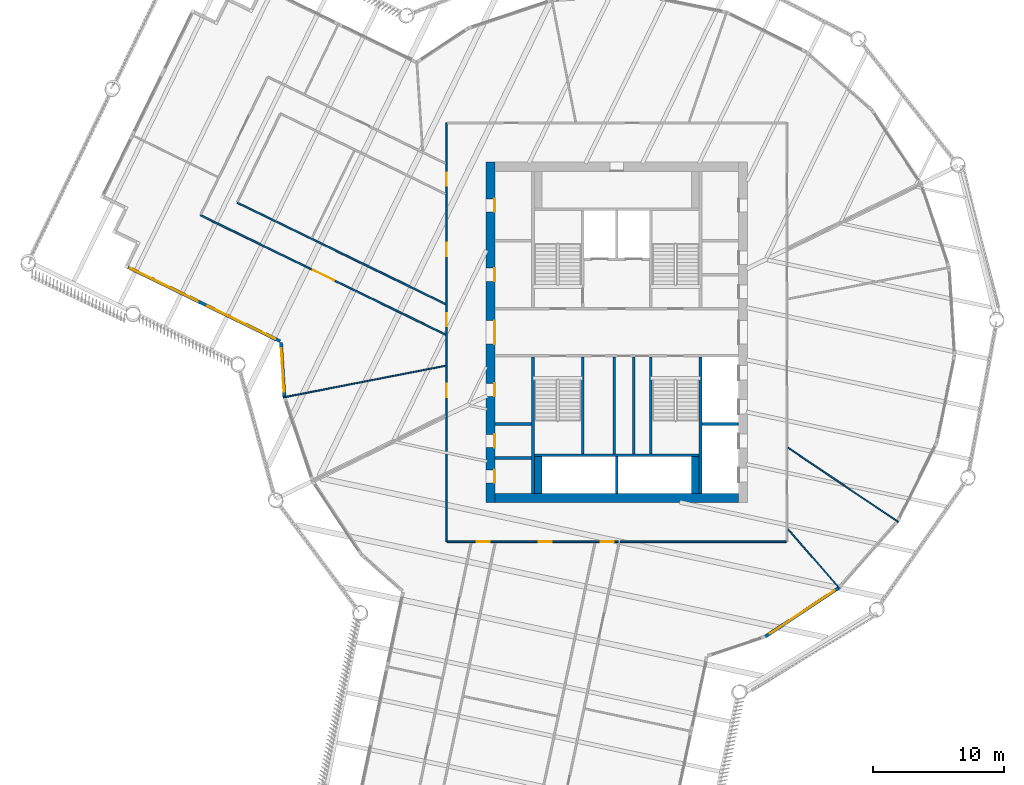
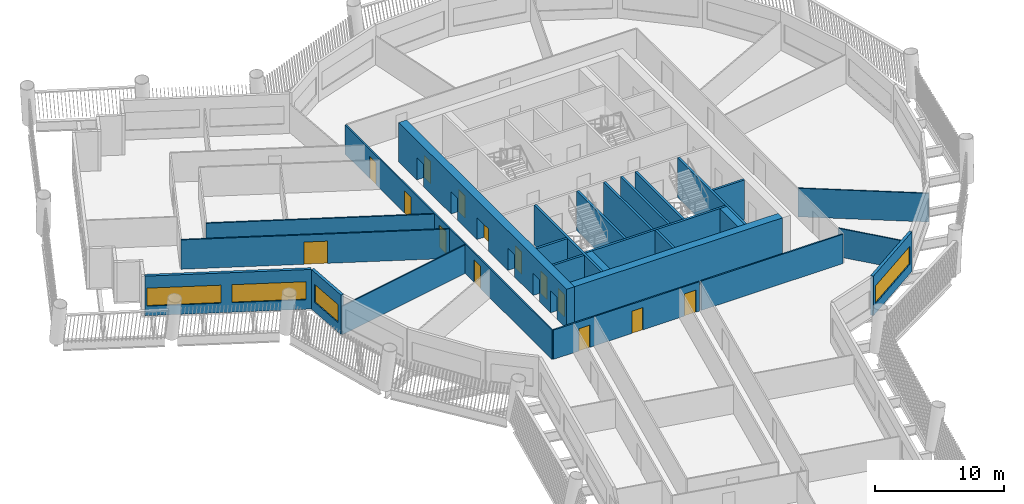
# One storey, part 4 of 15: 26 walls, 14 doors, 4 windows, 18 openings.
"""IFC4 building model written with IfcOpenShell, lengths in metres."""

from ifc_helpers import new_model, si_unit, direction, frame, frame_2d, origin, place, context, subcontext, project, spatial, rectangle, extrude, material, layer, layer_set, type_object, element, fill, save


model = new_model("IFC4")

# Units and contexts
model_context = context("Model", 3, precision=1e-05, world=origin(), true_north=direction((0.0, 1.0)))
body_context = subcontext(model_context, "Body", "Model", "MODEL_VIEW")
ifc_project = project(units=[si_unit("LENGTHUNIT", "METRE"), si_unit("AREAUNIT", "SQUARE_METRE"), si_unit("VOLUMEUNIT", "CUBIC_METRE"), si_unit("PLANEANGLEUNIT", "RADIAN"), si_unit("MASSUNIT", "GRAM", prefix="KILO")], contexts=[model_context])

# Site, building, storey
site_placement = place(None, origin())
site = spatial("IfcSite", under=ifc_project, at=site_placement, CompositionType="ELEMENT")
building_placement = place(site_placement, origin())
building = spatial("IfcBuilding", under=site, at=building_placement, Name="Tarsis Ring Headquarters", CompositionType="ELEMENT")
storey_placement = place(building_placement, frame((0.0, 0.0, 174.89990234375)))
storey = spatial("IfcBuildingStorey", under=building, at=storey_placement, Name="L40", CompositionType="ELEMENT", Elevation=174.89990234375)

# Walls
ifc_material_1 = material(Name="Blockwork", Category="masonry")
ifc_layer_1 = layer(ifc_material_1, 0.199951171875)
ifc_layer_set_1 = layer_set([ifc_layer_1], Name="Core blockwork wall 200")
wall_type_1 = type_object("IfcWallType", Name="Core blockwork wall 200", PredefinedType="PARTITIONING", material=ifc_layer_set_1)
for number, where, z_axis, x_axis, name in (
    (1, (-9.300048828125, -9.60009765625, 0.0), (0.0, 0.0, 1.0), (1.0, 0.0, 0.0), "Core partition WD1"),
    (2, (-9.300048828125, -7.0, 0.0), (0.0, 0.0, 1.0), (1.0, 0.0, 0.0), "Core partition WD2"),
):
    element("IfcWall", number, at=place(storey_placement, frame(where, z_axis=z_axis, x_axis=x_axis)), inside=storey, type_object=wall_type_1, Name=name, PredefinedType="PARTITIONING", context=body_context, shape_type="SweptSolid", body=[
        extrude(rectangle(XDim=2.800048828125, YDim=0.199951171875, at=frame_2d((1.39990234375, 0.0))), origin(), (0.0, 0.0, 1.0), 3.739990234375),
    ])
for number, where, z_axis, x_axis, name in (
    (3, (-0.199951171875, -9.300048828125, 0.0), (0.0, 0.0, 1.0), (0.0, 1.0, 0.0), "Core partition SV1"),
    (4, (1.300048828125, -9.300048828125, 0.0), (0.0, 0.0, 1.0), (0.0, 1.0, 0.0), "Core partition SV2"),
):
    element("IfcWall", number, at=place(storey_placement, frame(where, z_axis=z_axis, x_axis=x_axis)), inside=storey, type_object=wall_type_1, Name=name, PredefinedType="PARTITIONING", context=body_context, shape_type="SweptSolid", body=[
        extrude(rectangle(XDim=7.400146484375, YDim=0.199951171875, at=frame_2d((3.7001953125, 0.0))), origin(), (0.0, 0.0, 1.0), 3.739990234375),
    ])

# Wall, openings, doors
ifc_material_2 = material(Name="Concrete C60/75", Category="concrete")
ifc_layer_2 = layer(ifc_material_2, 0.699951171875)
ifc_layer_set_2 = layer_set([ifc_layer_2], Name="Core wall 700 C60/75")
wall_type_2 = type_object("IfcWallType", Name="Core wall 700 C60/75", PredefinedType="SHEAR", material=ifc_layer_set_2)
wall_1_placement = place(storey_placement, frame((-9.64990234375, -13.0, 0.0), z_axis=(0.0, 0.0, 1.0), x_axis=(0.0, 1.0, 0.0)))
wall_1 = element("IfcWall", 5, at=wall_1_placement, inside=storey, type_object=wall_type_2, Name="Core wall OW", PredefinedType="SHEAR", context=body_context, shape_type="SweptSolid", body=[
    extrude(rectangle(XDim=26.0, YDim=0.699951171875, at=frame_2d((13.0, 0.0))), origin(), (0.0, 0.0, 1.0), 3.739990234375),
])
opening_1_placement = place(wall_1_placement, frame((1.5, 0.0, 0.0)))
opening_1 = element("IfcOpeningElement", 6, at=opening_1_placement, cuts=wall_1, Name="Opening L40-C01", PredefinedType="OPENING", context=body_context, shape_type="SweptSolid", body=[
    extrude(rectangle(XDim=1.0, YDim=2.10009765625, at=frame_2d((0.5, 1.050048828125))), frame((0.0, 0.35986328125, 0.0), z_axis=(0.0, -1.0, 0.0), x_axis=(1.0, 0.0, 0.0)), (0.0, 0.0, 1.0), 0.719970703125),
])
opening_2_placement = place(wall_1_placement, frame((4.199951171875, 0.0, 0.0)))
opening_2 = element("IfcOpeningElement", 7, at=opening_2_placement, cuts=wall_1, Name="Opening L40-C02", PredefinedType="OPENING", context=body_context, shape_type="SweptSolid", body=[
    extrude(rectangle(XDim=1.0, YDim=2.10009765625, at=frame_2d((0.5, 1.050048828125))), frame((0.0, 0.35986328125, 0.0), z_axis=(0.0, -1.0, 0.0), x_axis=(1.0, 0.0, 0.0)), (0.0, 0.0, 1.0), 0.719970703125),
])
opening_3_placement = place(wall_1_placement, frame((8.10009765625, 0.0, 0.0)))
opening_3 = element("IfcOpeningElement", 8, at=opening_3_placement, cuts=wall_1, Name="Opening L40-C03", PredefinedType="OPENING", context=body_context, shape_type="SweptSolid", body=[
    extrude(rectangle(XDim=1.0, YDim=2.10009765625, at=frame_2d((0.5, 1.050048828125))), frame((0.0, 0.35986328125, 0.0), z_axis=(0.0, -1.0, 0.0), x_axis=(1.0, 0.0, 0.0)), (0.0, 0.0, 1.0), 0.719970703125),
])
opening_4_placement = place(wall_1_placement, frame((12.10009765625, 0.0, 0.0)))
opening_4 = element("IfcOpeningElement", 9, at=opening_4_placement, cuts=wall_1, Name="Opening L40-C04", PredefinedType="OPENING", context=body_context, shape_type="SweptSolid", body=[
    extrude(rectangle(XDim=1.800048828125, YDim=2.10009765625, at=frame_2d((0.89990234375, 1.050048828125))), frame((0.0, 0.35986328125, 0.0), z_axis=(0.0, -1.0, 0.0), x_axis=(1.0, 0.0, 0.0)), (0.0, 0.0, 1.0), 0.719970703125),
])
opening_5_placement = place(wall_1_placement, frame((16.89990234375, 0.0, 0.0)))
opening_5 = element("IfcOpeningElement", 10, at=opening_5_placement, cuts=wall_1, Name="Opening L40-C05", PredefinedType="OPENING", context=body_context, shape_type="SweptSolid", body=[
    extrude(rectangle(XDim=1.0, YDim=2.10009765625, at=frame_2d((0.5, 1.050048828125))), frame((0.0, 0.35986328125, 0.0), z_axis=(0.0, -1.0, 0.0), x_axis=(1.0, 0.0, 0.0)), (0.0, 0.0, 1.0), 0.719970703125),
])
opening_6_placement = place(wall_1_placement, frame((22.199951171875, 0.0, 0.0)))
opening_6 = element("IfcOpeningElement", 11, at=opening_6_placement, cuts=wall_1, Name="Opening L40-C06", PredefinedType="OPENING", context=body_context, shape_type="SweptSolid", body=[
    extrude(rectangle(XDim=1.0, YDim=2.10009765625, at=frame_2d((0.5, 1.050048828125))), frame((0.0, 0.35986328125, 0.0), z_axis=(0.0, -1.0, 0.0), x_axis=(1.0, 0.0, 0.0)), (0.0, 0.0, 1.0), 0.719970703125),
])
ifc_material_3 = material(Name="Steel S355", Category="steel")
door_type_1 = type_object("IfcDoorType", Name="Core entry door 1800x2100", OperationType="DOUBLE_DOOR_SINGLE_SWING", PredefinedType="DOOR", material=ifc_material_3)
door_1_placement = place(opening_4_placement, origin())
door_1 = element("IfcDoor", 12, at=door_1_placement, inside=storey, type_object=door_type_1, Name="Core entry door L40", OperationType="DOUBLE_DOOR_SINGLE_SWING", OverallHeight=2.10009765625, OverallWidth=1.800048828125, PredefinedType="DOOR", context=body_context, shape_type="SweptSolid", body=[
    extrude(rectangle(XDim=1.800048828125, YDim=2.10009765625, at=frame_2d((0.89990234375, 1.050048828125))), frame((0.0, -0.2998046875, 0.0), z_axis=(0.0, -1.0, 0.0), x_axis=(1.0, 0.0, 0.0)), (0.0, 0.0, 1.0), 0.050048828125),
])
fill(opening_4, door_1)
door_type_2 = type_object("IfcDoorType", Name="Core room door 1000x2100", OperationType="SINGLE_SWING_LEFT", PredefinedType="DOOR", material=ifc_material_3)
door_2_placement = place(opening_1_placement, origin())
door_2 = element("IfcDoor", 13, at=door_2_placement, inside=storey, type_object=door_type_2, Name="Core room door L40", OperationType="SINGLE_SWING_LEFT", OverallHeight=2.10009765625, OverallWidth=1.0, PredefinedType="DOOR", context=body_context, shape_type="SweptSolid", body=[
    extrude(rectangle(XDim=1.0, YDim=2.10009765625, at=frame_2d((0.5, 1.050048828125))), frame((0.0, -0.2998046875, 0.0), z_axis=(0.0, -1.0, 0.0), x_axis=(1.0, 0.0, 0.0)), (0.0, 0.0, 1.0), 0.050048828125),
])
fill(opening_1, door_2)
door_3_placement = place(opening_2_placement, origin())
door_3 = element("IfcDoor", 14, at=door_3_placement, inside=storey, type_object=door_type_2, Name="Core room door L40", OperationType="SINGLE_SWING_LEFT", OverallHeight=2.10009765625, OverallWidth=1.0, PredefinedType="DOOR", context=body_context, shape_type="SweptSolid", body=[
    extrude(rectangle(XDim=1.0, YDim=2.10009765625, at=frame_2d((0.5, 1.050048828125))), frame((0.0, -0.2998046875, 0.0), z_axis=(0.0, -1.0, 0.0), x_axis=(1.0, 0.0, 0.0)), (0.0, 0.0, 1.0), 0.050048828125),
])
fill(opening_2, door_3)
door_4_placement = place(opening_3_placement, origin())
door_4 = element("IfcDoor", 15, at=door_4_placement, inside=storey, type_object=door_type_2, Name="Core room door L40", OperationType="SINGLE_SWING_LEFT", OverallHeight=2.10009765625, OverallWidth=1.0, PredefinedType="DOOR", context=body_context, shape_type="SweptSolid", body=[
    extrude(rectangle(XDim=1.0, YDim=2.10009765625, at=frame_2d((0.5, 1.050048828125))), frame((0.0, -0.2998046875, 0.0), z_axis=(0.0, -1.0, 0.0), x_axis=(1.0, 0.0, 0.0)), (0.0, 0.0, 1.0), 0.050048828125),
])
fill(opening_3, door_4)
door_5_placement = place(opening_5_placement, origin())
door_5 = element("IfcDoor", 16, at=door_5_placement, inside=storey, type_object=door_type_2, Name="Core room door L40", OperationType="SINGLE_SWING_LEFT", OverallHeight=2.10009765625, OverallWidth=1.0, PredefinedType="DOOR", context=body_context, shape_type="SweptSolid", body=[
    extrude(rectangle(XDim=1.0, YDim=2.10009765625, at=frame_2d((0.5, 1.050048828125))), frame((0.0, -0.2998046875, 0.0), z_axis=(0.0, -1.0, 0.0), x_axis=(1.0, 0.0, 0.0)), (0.0, 0.0, 1.0), 0.050048828125),
])
fill(opening_5, door_5)
door_6_placement = place(opening_6_placement, origin())
door_6 = element("IfcDoor", 17, at=door_6_placement, inside=storey, type_object=door_type_2, Name="Core room door L40", OperationType="SINGLE_SWING_LEFT", OverallHeight=2.10009765625, OverallWidth=1.0, PredefinedType="DOOR", context=body_context, shape_type="SweptSolid", body=[
    extrude(rectangle(XDim=1.0, YDim=2.10009765625, at=frame_2d((0.5, 1.050048828125))), frame((0.0, -0.2998046875, 0.0), z_axis=(0.0, -1.0, 0.0), x_axis=(1.0, 0.0, 0.0)), (0.0, 0.0, 1.0), 0.050048828125),
])
fill(opening_6, door_6)

# Walls
wall_2_placement = place(storey_placement, frame((-9.300048828125, -12.64990234375, 0.0), z_axis=(0.0, 0.0, 1.0), x_axis=(1.0, 0.0, 0.0)))
element("IfcWall", 18, at=wall_2_placement, inside=storey, type_object=wall_type_2, Name="Core wall OS", PredefinedType="SHEAR", context=body_context, shape_type="SweptSolid", body=[
    extrude(rectangle(XDim=18.60009765625, YDim=0.699951171875, at=frame_2d((9.300048828125, 0.0))), origin(), (0.0, 0.0, 1.0), 3.739990234375),
])
ifc_material_4 = material(Name="Gypsum board on steel studs", Category="steel")
ifc_layer_3 = layer(ifc_material_4, 0.10009765625)
ifc_layer_set_3 = layer_set([ifc_layer_3], Name="FL partition 100 unrated")
wall_type_3 = type_object("IfcWallType", Name="FL partition 100 unrated", PredefinedType="PARTITIONING", material=ifc_layer_set_3)
wall_3_placement = place(storey_placement, frame((-25.467529296875, -4.968994140625, 0.0), z_axis=(0.0, 0.0, 1.0), x_axis=(0.981492275402, 0.191501731914, 0.0)))
element("IfcWall", 19, at=wall_3_placement, inside=storey, type_object=wall_type_3, Name="Partition PW3", PredefinedType="PARTITIONING", context=body_context, shape_type="SweptSolid", body=[
    extrude(rectangle(XDim=12.6328125, YDim=0.10009765625, at=frame_2d((6.31640625, 0.0))), origin(), (0.0, 0.0, 1.0), 2.7001953125),
])
wall_4_placement = place(storey_placement, frame((13.0830078125, -8.811279296875, 0.0), z_axis=(0.0, 0.0, 1.0), x_axis=(0.829427397552, -0.558614529162, 0.0)))
element("IfcWall", 20, at=wall_4_placement, inside=storey, type_object=wall_type_3, Name="Partition PW3", PredefinedType="PARTITIONING", context=body_context, shape_type="SweptSolid", body=[
    extrude(rectangle(XDim=10.174560546875, YDim=0.10009765625, at=frame_2d((5.08740234375, 0.0))), origin(), (0.0, 0.0, 1.0), 2.7001953125),
])
wall_5_placement = place(storey_placement, frame((13.091796875, -15.039306640625, 0.0), z_axis=(0.0, 0.0, 1.0), x_axis=(0.656601107167, -0.754238016853, 0.0)))
element("IfcWall", 21, at=wall_5_placement, inside=storey, type_object=wall_type_3, Name="Partition PW3", PredefinedType="PARTITIONING", context=body_context, shape_type="SweptSolid", body=[
    extrude(rectangle(XDim=6.0087890625, YDim=0.10009765625, at=frame_2d((3.00439453125, 0.0))), origin(), (0.0, 0.0, 1.0), 2.7001953125),
])

# Wall, openings, doors
ifc_layer_4 = layer(ifc_material_4, 0.125)
ifc_layer_set_4 = layer_set([ifc_layer_4], Name="FL partition 125 EI 60 H2770")
wall_type_4 = type_object("IfcWallType", Name="FL partition 125 EI 60 H2770", PredefinedType="PARTITIONING", material=ifc_layer_set_4)
wall_6_placement = place(storey_placement, frame((-13.0, -16.0, 0.0), z_axis=(0.0, 0.0, 1.0), x_axis=(0.0, 1.0, 0.0)))
wall_6 = element("IfcWall", 22, at=wall_6_placement, inside=storey, type_object=wall_type_4, Name="Partition PW1", PredefinedType="PARTITIONING", context=body_context, shape_type="SweptSolid", body=[
    extrude(rectangle(XDim=32.0, YDim=0.125, at=frame_2d((16.0, 0.0))), origin(), (0.0, 0.0, 1.0), 2.77001953125),
])
opening_7_placement = place(wall_6_placement, frame((11.055908203125, 0.0, 0.0)))
opening_7 = element("IfcOpeningElement", 23, at=opening_7_placement, cuts=wall_6, Name="Opening D40.16", PredefinedType="OPENING", context=body_context, shape_type="SweptSolid", body=[
    extrude(rectangle(XDim=1.0, YDim=2.10009765625, at=frame_2d((0.5, 1.050048828125))), frame((0.0, 0.072509765625, 0.0), z_axis=(0.0, -1.0, 0.0), x_axis=(1.0, 0.0, 0.0)), (0.0, 0.0, 1.0), 0.14501953125),
])
opening_8_placement = place(wall_6_placement, frame((21.829345703125, 0.0, 0.0)))
opening_8 = element("IfcOpeningElement", 24, at=opening_8_placement, cuts=wall_6, Name="Opening D40.17", PredefinedType="OPENING", context=body_context, shape_type="SweptSolid", body=[
    extrude(rectangle(XDim=1.0, YDim=2.10009765625, at=frame_2d((0.5, 1.050048828125))), frame((0.0, 0.072509765625, 0.0), z_axis=(0.0, -1.0, 0.0), x_axis=(1.0, 0.0, 0.0)), (0.0, 0.0, 1.0), 0.14501953125),
])
opening_9_placement = place(wall_6_placement, frame((16.457275390625, 0.0, 0.0)))
opening_9 = element("IfcOpeningElement", 25, at=opening_9_placement, cuts=wall_6, Name="Opening D40.22", PredefinedType="OPENING", context=body_context, shape_type="SweptSolid", body=[
    extrude(rectangle(XDim=1.0, YDim=2.10009765625, at=frame_2d((0.5, 1.050048828125))), frame((0.0, 0.072509765625, 0.0), z_axis=(0.0, -1.0, 0.0), x_axis=(1.0, 0.0, 0.0)), (0.0, 0.0, 1.0), 0.14501953125),
])
opening_10_placement = place(wall_6_placement, frame((27.201416015625, 0.0, 0.0)))
opening_10 = element("IfcOpeningElement", 26, at=opening_10_placement, cuts=wall_6, Name="Opening D40.23", PredefinedType="OPENING", context=body_context, shape_type="SweptSolid", body=[
    extrude(rectangle(XDim=1.0, YDim=2.10009765625, at=frame_2d((0.5, 1.050048828125))), frame((0.0, 0.072509765625, 0.0), z_axis=(0.0, -1.0, 0.0), x_axis=(1.0, 0.0, 0.0)), (0.0, 0.0, 1.0), 0.14501953125),
])
ifc_material_5 = material(Name="Fire-rated timber door leaf in steel frame", Category="steel")
door_type_3 = type_object("IfcDoorType", Name="FL door FD60-1000", OperationType="NOTDEFINED", PredefinedType="DOOR", material=ifc_material_5)
door_7_placement = place(opening_7_placement, origin())
door_7 = element("IfcDoor", 27, at=door_7_placement, inside=storey, type_object=door_type_3, Name="Door D40.16", OperationType="SINGLE_SWING_RIGHT", OverallHeight=2.10009765625, OverallWidth=1.0, PredefinedType="DOOR", context=body_context, shape_type="SweptSolid", body=[
    extrude(rectangle(XDim=1.0, YDim=2.10009765625, at=frame_2d((0.5, 1.050048828125))), frame((0.0, 0.02490234375, 0.0), z_axis=(0.0, -1.0, 0.0), x_axis=(1.0, 0.0, 0.0)), (0.0, 0.0, 1.0), 0.050048828125),
])
fill(opening_7, door_7)
door_8_placement = place(opening_8_placement, origin())
door_8 = element("IfcDoor", 28, at=door_8_placement, inside=storey, type_object=door_type_3, Name="Door D40.17", OperationType="SINGLE_SWING_LEFT", OverallHeight=2.10009765625, OverallWidth=1.0, PredefinedType="DOOR", context=body_context, shape_type="SweptSolid", body=[
    extrude(rectangle(XDim=1.0, YDim=2.10009765625, at=frame_2d((0.5, 1.050048828125))), frame((0.0, 0.02490234375, 0.0), z_axis=(0.0, -1.0, 0.0), x_axis=(1.0, 0.0, 0.0)), (0.0, 0.0, 1.0), 0.050048828125),
])
fill(opening_8, door_8)
door_9_placement = place(opening_9_placement, origin())
door_9 = element("IfcDoor", 29, at=door_9_placement, inside=storey, type_object=door_type_3, Name="Door D40.22", OperationType="SINGLE_SWING_RIGHT", OverallHeight=2.10009765625, OverallWidth=1.0, PredefinedType="DOOR", context=body_context, shape_type="SweptSolid", body=[
    extrude(rectangle(XDim=1.0, YDim=2.10009765625, at=frame_2d((0.5, 1.050048828125))), frame((0.0, 0.02490234375, 0.0), z_axis=(0.0, -1.0, 0.0), x_axis=(1.0, 0.0, 0.0)), (0.0, 0.0, 1.0), 0.050048828125),
])
fill(opening_9, door_9)
door_10_placement = place(opening_10_placement, origin())
door_10 = element("IfcDoor", 30, at=door_10_placement, inside=storey, type_object=door_type_3, Name="Door D40.23", OperationType="SINGLE_SWING_LEFT", OverallHeight=2.10009765625, OverallWidth=1.0, PredefinedType="DOOR", context=body_context, shape_type="SweptSolid", body=[
    extrude(rectangle(XDim=1.0, YDim=2.10009765625, at=frame_2d((0.5, 1.050048828125))), frame((0.0, 0.02490234375, 0.0), z_axis=(0.0, -1.0, 0.0), x_axis=(1.0, 0.0, 0.0)), (0.0, 0.0, 1.0), 0.050048828125),
])
fill(opening_10, door_10)

wall_7_placement = place(storey_placement, frame((-12.93994140625, -16.0, 0.0), z_axis=(0.0, 0.0, 1.0), x_axis=(1.0, 0.0, 0.0)))
wall_7 = element("IfcWall", 31, at=wall_7_placement, inside=storey, type_object=wall_type_4, Name="Partition PW1", PredefinedType="PARTITIONING", context=body_context, shape_type="SweptSolid", body=[
    extrude(rectangle(XDim=13.0615234375, YDim=0.125, at=frame_2d((6.53076171875, 0.0))), origin(), (0.0, 0.0, 1.0), 2.77001953125),
])
opening_11_placement = place(wall_7_placement, frame((6.98583984375, 0.0, 0.0)))
opening_11 = element("IfcOpeningElement", 32, at=opening_11_placement, cuts=wall_7, Name="Opening D40.18", PredefinedType="OPENING", context=body_context, shape_type="SweptSolid", body=[
    extrude(rectangle(XDim=1.0, YDim=2.10009765625, at=frame_2d((0.5, 1.050048828125))), frame((0.0, 0.072509765625, 0.0), z_axis=(0.0, -1.0, 0.0), x_axis=(1.0, 0.0, 0.0)), (0.0, 0.0, 1.0), 0.14501953125),
])
opening_12_placement = place(wall_7_placement, frame((2.253173828125, 0.0, 0.0)))
opening_12 = element("IfcOpeningElement", 33, at=opening_12_placement, cuts=wall_7, Name="Opening D40.20", PredefinedType="OPENING", context=body_context, shape_type="SweptSolid", body=[
    extrude(rectangle(XDim=1.0, YDim=2.10009765625, at=frame_2d((0.5, 1.050048828125))), frame((0.0, 0.072509765625, 0.0), z_axis=(0.0, -1.0, 0.0), x_axis=(1.0, 0.0, 0.0)), (0.0, 0.0, 1.0), 0.14501953125),
])
opening_13_placement = place(wall_7_placement, frame((11.71875, 0.0, 0.0)))
opening_13 = element("IfcOpeningElement", 34, at=opening_13_placement, cuts=wall_7, Name="Opening D40.21", PredefinedType="OPENING", context=body_context, shape_type="SweptSolid", body=[
    extrude(rectangle(XDim=1.0, YDim=2.10009765625, at=frame_2d((0.5, 1.050048828125))), frame((0.0, 0.072509765625, 0.0), z_axis=(0.0, -1.0, 0.0), x_axis=(1.0, 0.0, 0.0)), (0.0, 0.0, 1.0), 0.14501953125),
])
door_11_placement = place(opening_11_placement, origin())
door_11 = element("IfcDoor", 35, at=door_11_placement, inside=storey, type_object=door_type_3, Name="Door D40.18", OperationType="SINGLE_SWING_RIGHT", OverallHeight=2.10009765625, OverallWidth=1.0, PredefinedType="DOOR", context=body_context, shape_type="SweptSolid", body=[
    extrude(rectangle(XDim=1.0, YDim=2.10009765625, at=frame_2d((0.5, 1.050048828125))), frame((0.0, 0.02490234375, 0.0), z_axis=(0.0, -1.0, 0.0), x_axis=(1.0, 0.0, 0.0)), (0.0, 0.0, 1.0), 0.050048828125),
])
fill(opening_11, door_11)
door_12_placement = place(opening_12_placement, origin())
door_12 = element("IfcDoor", 36, at=door_12_placement, inside=storey, type_object=door_type_3, Name="Door D40.20", OperationType="SINGLE_SWING_RIGHT", OverallHeight=2.10009765625, OverallWidth=1.0, PredefinedType="DOOR", context=body_context, shape_type="SweptSolid", body=[
    extrude(rectangle(XDim=1.0, YDim=2.10009765625, at=frame_2d((0.5, 1.050048828125))), frame((0.0, 0.02490234375, 0.0), z_axis=(0.0, -1.0, 0.0), x_axis=(1.0, 0.0, 0.0)), (0.0, 0.0, 1.0), 0.050048828125),
])
fill(opening_12, door_12)
door_13_placement = place(opening_13_placement, origin())
door_13 = element("IfcDoor", 37, at=door_13_placement, inside=storey, type_object=door_type_3, Name="Door D40.21", OperationType="SINGLE_SWING_LEFT", OverallHeight=2.10009765625, OverallWidth=1.0, PredefinedType="DOOR", context=body_context, shape_type="SweptSolid", body=[
    extrude(rectangle(XDim=1.0, YDim=2.10009765625, at=frame_2d((0.5, 1.050048828125))), frame((0.0, 0.02490234375, 0.0), z_axis=(0.0, -1.0, 0.0), x_axis=(1.0, 0.0, 0.0)), (0.0, 0.0, 1.0), 0.050048828125),
])
fill(opening_13, door_13)

# Wall
wall_8_placement = place(storey_placement, frame((0.259765625, -16.0, 0.0), z_axis=(0.0, 0.0, 1.0), x_axis=(1.0, 0.0, 0.0)))
element("IfcWall", 38, at=wall_8_placement, inside=storey, type_object=wall_type_4, Name="Partition PW1", PredefinedType="PARTITIONING", context=body_context, shape_type="SweptSolid", body=[
    extrude(rectangle(XDim=12.68017578125, YDim=0.125, at=frame_2d((6.340087890625, 0.0))), origin(), (0.0, 0.0, 1.0), 2.77001953125),
])

# Wall, opening, door
wall_9_placement = place(storey_placement, frame((-31.812744140625, 8.94873046875, 0.0), z_axis=(0.0, 0.0, 1.0), x_axis=(0.899102110058, -0.437738958387, 0.0)))
wall_9 = element("IfcWall", 39, at=wall_9_placement, inside=storey, type_object=wall_type_4, Name="Partition PW1", PredefinedType="PARTITIONING", context=body_context, shape_type="SweptSolid", body=[
    extrude(rectangle(XDim=20.833984375, YDim=0.125, at=frame_2d((10.4169921875, 0.0))), origin(), (0.0, 0.0, 1.0), 2.77001953125),
])
opening_14_placement = place(wall_9_placement, frame((9.56201171875, 0.0, 0.0)))
opening_14 = element("IfcOpeningElement", 40, at=opening_14_placement, cuts=wall_9, Name="Opening D40.01", PredefinedType="OPENING", context=body_context, shape_type="SweptSolid", body=[
    extrude(rectangle(XDim=1.800048828125, YDim=2.10009765625, at=frame_2d((0.89990234375, 1.050048828125))), frame((0.0, 0.072509765625, 0.0), z_axis=(0.0, -1.0, 0.0), x_axis=(1.0, 0.0, 0.0)), (0.0, 0.0, 1.0), 0.14501953125),
])
door_type_4 = type_object("IfcDoorType", Name="FL door FD60-1800", OperationType="DOUBLE_DOOR_SINGLE_SWING", PredefinedType="DOOR", material=ifc_material_5)
door_14_placement = place(opening_14_placement, origin())
door_14 = element("IfcDoor", 41, at=door_14_placement, inside=storey, type_object=door_type_4, Name="Door D40.01", OperationType="DOUBLE_DOOR_SINGLE_SWING", OverallHeight=2.10009765625, OverallWidth=1.800048828125, PredefinedType="DOOR", context=body_context, shape_type="SweptSolid", body=[
    extrude(rectangle(XDim=1.800048828125, YDim=2.10009765625, at=frame_2d((0.89990234375, 1.050048828125))), frame((0.0, 0.02490234375, 0.0), z_axis=(0.0, -1.0, 0.0), x_axis=(1.0, 0.0, 0.0)), (0.0, 0.0, 1.0), 0.050048828125),
])
fill(opening_14, door_14)

# Wall
wall_10_placement = place(storey_placement, frame((-29.00537109375, 9.91748046875, 0.0), z_axis=(0.0, 0.0, 1.0), x_axis=(0.899105201998, -0.437732607581, 0.0)))
element("IfcWall", 42, at=wall_10_placement, inside=storey, type_object=wall_type_4, Name="Partition PW1", PredefinedType="PARTITIONING", context=body_context, shape_type="SweptSolid", body=[
    extrude(rectangle(XDim=17.711669921875, YDim=0.125, at=frame_2d((8.85595703125, 0.0))), origin(), (0.0, 0.0, 1.0), 2.77001953125),
])

# Wall, openings, windows
ifc_material_6 = material(Name="Terracotta clad insulated panel wall", Category="masonry")
ifc_layer_5 = layer(ifc_material_6, 0.25)
ifc_layer_set_5 = layer_set([ifc_layer_5], Name="Facade wall terracotta panel 250")
wall_type_5 = type_object("IfcWallType", Name="Facade wall terracotta panel 250", PredefinedType="STANDARD", material=ifc_layer_set_5)
wall_11_placement = place(storey_placement, frame((-37.341064453125, 4.972412109375, 0.0), z_axis=(0.0, 0.0, 1.0), x_axis=(0.899100660781, -0.437741935144, 0.0)))
wall_11 = element("IfcWall", 43, at=wall_11_placement, inside=storey, type_object=wall_type_5, Name="External wall L40-01", PredefinedType="STANDARD", context=body_context, shape_type="SweptSolid", body=[
    extrude(rectangle(XDim=12.921875, YDim=0.25, at=frame_2d((6.4609375, 0.0))), origin(), (0.0, 0.0, 1.0), 3.739990234375),
])
opening_15_placement = place(wall_11_placement, frame((0.16796875, 0.0, 0.89990234375)))
opening_15 = element("IfcOpeningElement", 44, at=opening_15_placement, cuts=wall_11, Name="Opening WN06", PredefinedType="OPENING", context=body_context, shape_type="SweptSolid", body=[
    extrude(rectangle(XDim=5.75, YDim=1.699951171875, at=frame_2d((2.875, 0.85009765625))), frame((0.0, 0.135009765625, 0.0), z_axis=(0.0, -1.0, 0.0), x_axis=(1.0, 0.0, 0.0)), (0.0, 0.0, 1.0), 0.27001953125),
])
opening_16_placement = place(wall_11_placement, frame((6.75390625, 0.0, 0.89990234375)))
opening_16 = element("IfcOpeningElement", 45, at=opening_16_placement, cuts=wall_11, Name="Opening WN06", PredefinedType="OPENING", context=body_context, shape_type="SweptSolid", body=[
    extrude(rectangle(XDim=5.75, YDim=1.699951171875, at=frame_2d((2.875, 0.85009765625))), frame((0.0, 0.135009765625, 0.0), z_axis=(0.0, -1.0, 0.0), x_axis=(1.0, 0.0, 0.0)), (0.0, 0.0, 1.0), 0.27001953125),
])
ifc_material_7 = material(Name="Aluminium framed double glazing", Category="aluminium")
window_type_1 = type_object("IfcWindowType", Name="Facade window 5750 x 1700", PartitioningType="SINGLE_PANEL", PredefinedType="WINDOW", material=ifc_material_7)
window_1_placement = place(opening_15_placement, origin())
window_1 = element("IfcWindow", 46, at=window_1_placement, inside=storey, type_object=window_type_1, Name="Window L40-01.1", OverallHeight=1.699951171875, OverallWidth=5.75, PartitioningType="SINGLE_PANEL", PredefinedType="WINDOW", context=body_context, shape_type="SweptSolid", body=[
    extrude(rectangle(XDim=5.75, YDim=1.699951171875, at=frame_2d((2.875, 0.85009765625))), frame((0.0, 0.030029296875, 0.0), z_axis=(0.0, -1.0, 0.0), x_axis=(1.0, 0.0, 0.0)), (0.0, 0.0, 1.0), 0.06005859375),
])
fill(opening_15, window_1)
window_2_placement = place(opening_16_placement, origin())
window_2 = element("IfcWindow", 47, at=window_2_placement, inside=storey, type_object=window_type_1, Name="Window L40-01.2", OverallHeight=1.699951171875, OverallWidth=5.75, PartitioningType="SINGLE_PANEL", PredefinedType="WINDOW", context=body_context, shape_type="SweptSolid", body=[
    extrude(rectangle(XDim=5.75, YDim=1.699951171875, at=frame_2d((2.875, 0.85009765625))), frame((0.0, 0.030029296875, 0.0), z_axis=(0.0, -1.0, 0.0), x_axis=(1.0, 0.0, 0.0)), (0.0, 0.0, 1.0), 0.06005859375),
])
fill(opening_16, window_2)

# Wall, opening, window
wall_12_placement = place(storey_placement, frame((-25.65283203125, -0.78857421875, 0.0), z_axis=(0.0, 0.0, 1.0), x_axis=(0.061775065119, -0.9980900968, 0.0)))
wall_12 = element("IfcWall", 48, at=wall_12_placement, inside=storey, type_object=wall_type_5, Name="External wall L40-02", PredefinedType="STANDARD", context=body_context, shape_type="SweptSolid", body=[
    extrude(rectangle(XDim=4.15771484375, YDim=0.25, at=frame_2d((2.078857421875, 0.0))), origin(), (0.0, 0.0, 1.0), 3.739990234375),
])
opening_17_placement = place(wall_12_placement, frame((0.420166015625, 0.0, 0.89990234375)))
opening_17 = element("IfcOpeningElement", 49, at=opening_17_placement, cuts=wall_12, Name="Opening WN01", PredefinedType="OPENING", context=body_context, shape_type="SweptSolid", body=[
    extrude(rectangle(XDim=3.35009765625, YDim=1.699951171875, at=frame_2d((1.675048828125, 0.85009765625))), frame((0.0, 0.135009765625, 0.0), z_axis=(0.0, -1.0, 0.0), x_axis=(1.0, 0.0, 0.0)), (0.0, 0.0, 1.0), 0.27001953125),
])
window_type_2 = type_object("IfcWindowType", Name="Facade window 3350 x 1700", PartitioningType="SINGLE_PANEL", PredefinedType="WINDOW", material=ifc_material_7)
window_3_placement = place(opening_17_placement, origin())
window_3 = element("IfcWindow", 50, at=window_3_placement, inside=storey, type_object=window_type_2, Name="Window L40-02.1", OverallHeight=1.699951171875, OverallWidth=3.35009765625, PartitioningType="SINGLE_PANEL", PredefinedType="WINDOW", context=body_context, shape_type="SweptSolid", body=[
    extrude(rectangle(XDim=3.35009765625, YDim=1.699951171875, at=frame_2d((1.675048828125, 0.85009765625))), frame((0.0, 0.030029296875, 0.0), z_axis=(0.0, -1.0, 0.0), x_axis=(1.0, 0.0, 0.0)), (0.0, 0.0, 1.0), 0.06005859375),
])
fill(opening_17, window_3)

wall_13_placement = place(storey_placement, frame((11.372314453125, -23.23828125, 0.0), z_axis=(0.0, 0.0, 1.0), x_axis=(0.833489202263, 0.552535745188, 0.0)))
wall_13 = element("IfcWall", 51, at=wall_13_placement, inside=storey, type_object=wall_type_5, Name="External wall L40-18", PredefinedType="STANDARD", context=body_context, shape_type="SweptSolid", body=[
    extrude(rectangle(XDim=6.721435546875, YDim=0.25, at=frame_2d((3.36083984375, 0.0))), origin(), (0.0, 0.0, 1.0), 3.739990234375),
])
opening_18_placement = place(wall_13_placement, frame((0.3857421875, 0.0, 0.89990234375)))
opening_18 = element("IfcOpeningElement", 52, at=opening_18_placement, cuts=wall_13, Name="Opening WN07", PredefinedType="OPENING", context=body_context, shape_type="SweptSolid", body=[
    extrude(rectangle(XDim=5.949951171875, YDim=1.699951171875, at=frame_2d((2.97509765625, 0.85009765625))), frame((0.0, 0.135009765625, 0.0), z_axis=(0.0, -1.0, 0.0), x_axis=(1.0, 0.0, 0.0)), (0.0, 0.0, 1.0), 0.27001953125),
])
window_type_3 = type_object("IfcWindowType", Name="Facade window 5950 x 1700", PartitioningType="SINGLE_PANEL", PredefinedType="WINDOW", material=ifc_material_7)
window_4_placement = place(opening_18_placement, origin())
window_4 = element("IfcWindow", 53, at=window_4_placement, inside=storey, type_object=window_type_3, Name="Window L40-18.1", OverallHeight=1.699951171875, OverallWidth=5.949951171875, PartitioningType="SINGLE_PANEL", PredefinedType="WINDOW", context=body_context, shape_type="SweptSolid", body=[
    extrude(rectangle(XDim=5.949951171875, YDim=1.699951171875, at=frame_2d((2.97509765625, 0.85009765625))), frame((0.0, 0.030029296875, 0.0), z_axis=(0.0, -1.0, 0.0), x_axis=(1.0, 0.0, 0.0)), (0.0, 0.0, 1.0), 0.06005859375),
])
fill(opening_18, window_4)

# Walls
ifc_material_8 = material(Name="Concrete C32/40", Category="concrete")
ifc_layer_6 = layer(ifc_material_8, 0.60009765625)
ifc_layer_set_6 = layer_set([ifc_layer_6], Name="Shaft end wall 600 C32/40")
wall_type_6 = type_object("IfcWallType", Name="Shaft end wall 600 C32/40", PredefinedType="SOLIDWALL", material=ifc_layer_set_6)
for number, where, z_axis, x_axis, name in (
    (54, (-6.0, -12.300048828125, 0.0), (0.0, 0.0, 1.0), (0.0, 1.0, 0.0), "Core shaft wall SNE1"),
    (55, (6.0, -12.300048828125, 0.0), (0.0, 0.0, 1.0), (0.0, 1.0, 0.0), "Core shaft wall SNE2"),
):
    element("IfcWall", number, at=place(storey_placement, frame(where, z_axis=z_axis, x_axis=x_axis)), inside=storey, type_object=wall_type_6, Name=name, PredefinedType="SOLIDWALL", context=body_context, shape_type="SweptSolid", body=[
        extrude(rectangle(XDim=2.800048828125, YDim=0.60009765625, at=frame_2d((1.39990234375, 0.0))), origin(), (0.0, 0.0, 1.0), 3.739990234375),
    ])
ifc_layer_7 = layer(ifc_material_8, 0.199951171875)
ifc_layer_set_7 = layer_set([ifc_layer_7], Name="Shaft wall 200 C32/40")
wall_type_7 = type_object("IfcWallType", Name="Shaft wall 200 C32/40", PredefinedType="SOLIDWALL", material=ifc_layer_set_7)
for number, where, z_axis, x_axis, name in (
    (56, (-6.39990234375, -12.300048828125, 0.0), (0.0, 0.0, 1.0), (0.0, 1.0, 0.0), "Core shaft wall WB1"),
    (57, (6.39990234375, -12.300048828125, 0.0), (0.0, 0.0, 1.0), (0.0, 1.0, 0.0), "Core shaft wall EB1"),
):
    element("IfcWall", number, at=place(storey_placement, frame(where, z_axis=z_axis, x_axis=x_axis)), inside=storey, type_object=wall_type_7, Name=name, PredefinedType="SOLIDWALL", context=body_context, shape_type="SweptSolid", body=[
        extrude(rectangle(XDim=10.400146484375, YDim=0.199951171875, at=frame_2d((5.2001953125, 0.0))), origin(), (0.0, 0.0, 1.0), 3.739990234375),
    ])
wall_14_placement = place(storey_placement, frame((-6.300048828125, -9.39990234375, 0.0), z_axis=(0.0, 0.0, 1.0), x_axis=(1.0, 0.0, 0.0)))
element("IfcWall", 58, at=wall_14_placement, inside=storey, type_object=wall_type_7, Name="Core shaft wall SB", PredefinedType="SOLIDWALL", context=body_context, shape_type="SweptSolid", body=[
    extrude(rectangle(XDim=12.60009765625, YDim=0.199951171875, at=frame_2d((6.300048828125, 0.0))), origin(), (0.0, 0.0, 1.0), 3.739990234375),
])
for number, where, z_axis, x_axis, name in (
    (59, (-2.60009765625, -9.300048828125, 0.0), (0.0, 0.0, 1.0), (0.0, 1.0, 0.0), "Core shaft wall SW3"),
    (60, (2.60009765625, -9.300048828125, 0.0), (0.0, 0.0, 1.0), (0.0, 1.0, 0.0), "Core shaft wall SW4"),
):
    element("IfcWall", number, at=place(storey_placement, frame(where, z_axis=z_axis, x_axis=x_axis)), inside=storey, type_object=wall_type_7, Name=name, PredefinedType="SOLIDWALL", context=body_context, shape_type="SweptSolid", body=[
        extrude(rectangle(XDim=7.400146484375, YDim=0.199951171875, at=frame_2d((3.7001953125, 0.0))), origin(), (0.0, 0.0, 1.0), 3.739990234375),
    ])
for number, where, z_axis, x_axis, name in (
    (61, (6.5, -7.0, 0.0), (0.0, 0.0, 1.0), (1.0, 0.0, 0.0), "Core shaft wall ED2"),
    (62, (0.0, -12.300048828125, 0.0), (0.0, 0.0, 1.0), (0.0, 1.0, 0.0), "Core shaft wall SD2"),
):
    element("IfcWall", number, at=place(storey_placement, frame(where, z_axis=z_axis, x_axis=x_axis)), inside=storey, type_object=wall_type_7, Name=name, PredefinedType="SOLIDWALL", context=body_context, shape_type="SweptSolid", body=[
        extrude(rectangle(XDim=2.800048828125, YDim=0.199951171875, at=frame_2d((1.39990234375, 0.0))), origin(), (0.0, 0.0, 1.0), 3.739990234375),
    ])

save(model, "model.ifc")
